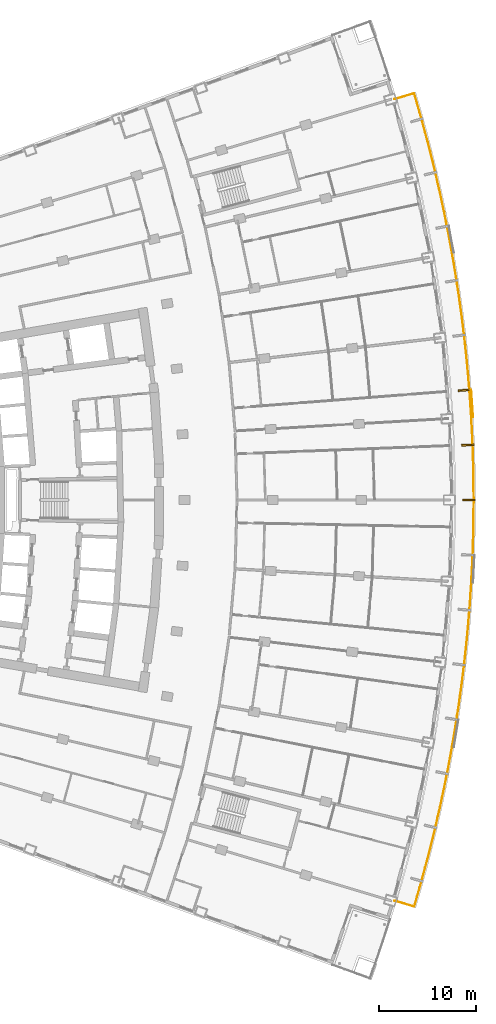
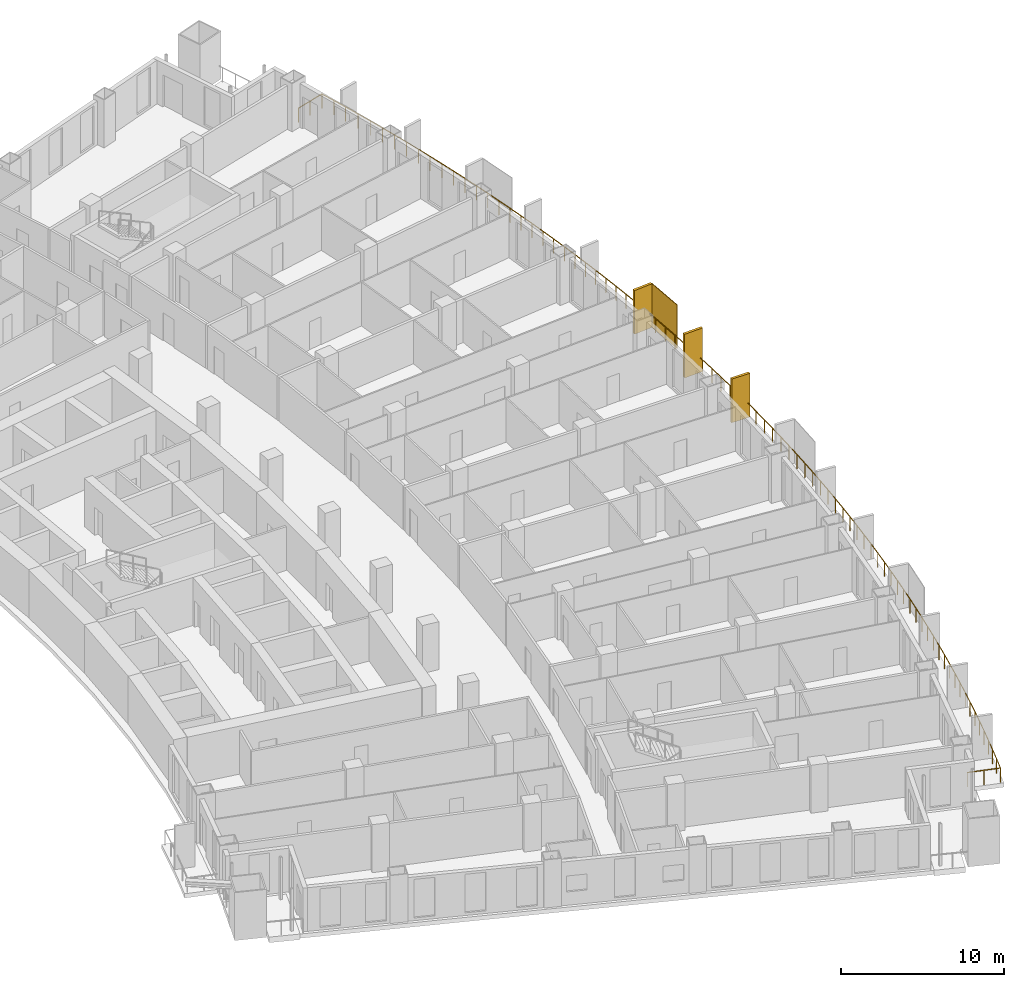
# One storey, part 24 of 25: 4 shading devices, 1 railing.
"""IFC4 building model written with IfcOpenShell, lengths in metres."""

from ifc_helpers import new_model, si_unit, direction, frame, origin, origin_2d, place, context, subcontext, project, spatial, rectangle, extrude, material, layer, layer_set, type_object, element, save


model = new_model("IFC4")

# Units and contexts
model_context = context("Model", 3, precision=1e-05, world=origin(), true_north=direction((0.0, 1.0)))
body_context = subcontext(model_context, "Body", "Model", "MODEL_VIEW")
ifc_project = project(units=[si_unit("LENGTHUNIT", "METRE"), si_unit("AREAUNIT", "SQUARE_METRE"), si_unit("VOLUMEUNIT", "CUBIC_METRE"), si_unit("PLANEANGLEUNIT", "RADIAN"), si_unit("MASSUNIT", "GRAM", prefix="KILO")], contexts=[model_context])

# Site, building, storey
site_placement = place(None, origin())
site = spatial("IfcSite", under=ifc_project, at=site_placement, CompositionType="ELEMENT")
building_placement = place(site_placement, origin())
building = spatial("IfcBuilding", under=site, at=building_placement, Name="Alderwake Tower", CompositionType="ELEMENT")
storey_placement = place(building_placement, frame((0.0, 0.0, 46.39990234375)))
storey = spatial("IfcBuildingStorey", under=building, at=storey_placement, Name="L10", CompositionType="ELEMENT", Elevation=46.39990234375)

# Railing
ifc_material_1 = material(Name="Stainless steel 316 rail and posts", Category="steel")
railing_type = type_object("IfcRailingType", Name="Balcony guard 1100", PredefinedType="GUARDRAIL", material=ifc_material_1)
railing_placement = place(storey_placement, frame((57.371826171875, 19.85986328125, 0.0)))
element("IfcRailing", 1, at=railing_placement, inside=storey, type_object=railing_type, Name="Guard BF02", PredefinedType="GUARDRAIL", context=body_context, shape_type="SweptSolid", body=[
    extrude(rectangle(XDim=0.048095703125, YDim=0.048095703125, at=origin_2d()), frame((0.0, 0.0, 1.076171875), z_axis=(0.957963748181, -0.286889276849, 0.0), x_axis=(0.286889276849, 0.957963748181, 0.0)), (0.0, 0.0, 1.0), 2.100341796875),
    extrude(rectangle(XDim=0.048095703125, YDim=0.048095703125, at=origin_2d()), frame((2.011962890625, -0.6025390625, 1.076171875), z_axis=(0.280139100614, 0.959959418052, 0.0), x_axis=(-0.959959418052, 0.280139100614, 0.0)), (0.0, 0.0, 1.0), 2.02197265625),
    extrude(rectangle(XDim=0.048095703125, YDim=0.048095703125, at=origin_2d()), frame((2.578369140625, 1.33837890625, 1.076171875), z_axis=(0.26658150654, 0.9638123782, 0.0), x_axis=(-0.9638123782, 0.26658150654, 0.0)), (0.0, 0.0, 1.0), 2.1220703125),
    extrude(rectangle(XDim=0.048095703125, YDim=0.048095703125, at=origin_2d()), frame((3.14404296875, 3.383544921875, 1.076171875), z_axis=(0.252459370457, 0.967607495976, 0.0), x_axis=(-0.967607495976, 0.252459370457, 0.0)), (0.0, 0.0, 1.0), 2.121826171875),
    extrude(rectangle(XDim=0.048095703125, YDim=0.048095703125, at=origin_2d()), frame((3.6796875, 5.4365234375, 1.076171875), z_axis=(0.238282958, 0.971195774253, 0.0), x_axis=(-0.971195774253, 0.238282958, 0.0)), (0.0, 0.0, 1.0), 2.121826171875),
    extrude(rectangle(XDim=0.048095703125, YDim=0.048095703125, at=origin_2d()), frame((4.185302734375, 7.497314453125, 1.076171875), z_axis=(0.224136765, 0.974557699972, 0.0), x_axis=(-0.974557699972, 0.224136765, 0.0)), (0.0, 0.0, 1.0), 2.121826171875),
    extrude(rectangle(XDim=0.048095703125, YDim=0.048095703125, at=origin_2d()), frame((4.660888671875, 9.565185546875, 1.076171875), z_axis=(0.209859086272, 0.977731642072, 0.0), x_axis=(-0.977731642072, 0.209859086272, 0.0)), (0.0, 0.0, 1.0), 2.1220703125),
    extrude(rectangle(XDim=0.048095703125, YDim=0.048095703125, at=origin_2d()), frame((5.106201171875, 11.639892578125, 1.076171875), z_axis=(0.195607176026, 0.980682330159, 0.0), x_axis=(-0.980682330159, 0.195607176026, 0.0)), (0.0, 0.0, 1.0), 2.121826171875),
    extrude(rectangle(XDim=0.048095703125, YDim=0.048095703125, at=origin_2d()), frame((5.521240234375, 13.720703125, 1.076171875), z_axis=(0.181223929541, 0.983441857642, 0.0), x_axis=(-0.983441857642, 0.181223929541, 0.0)), (0.0, 0.0, 1.0), 2.121826171875),
    extrude(rectangle(XDim=0.048095703125, YDim=0.048095703125, at=origin_2d()), frame((5.90576171875, 15.807373046875, 1.076171875), z_axis=(0.166935734745, 0.985967778614, 0.0), x_axis=(-0.985967778614, 0.166935734745, 0.0)), (0.0, 0.0, 1.0), 2.1220703125),
    extrude(rectangle(XDim=0.048095703125, YDim=0.048095703125, at=origin_2d()), frame((6.260009765625, 17.899658203125, 1.076171875), z_axis=(0.152575952674, 0.988291747747, 0.0), x_axis=(-0.988291747747, 0.152575952674, 0.0)), (0.0, 0.0, 1.0), 2.121826171875),
    extrude(rectangle(XDim=0.048095703125, YDim=0.048095703125, at=origin_2d()), frame((6.583740234375, 19.99658203125, 1.076171875), z_axis=(0.138070046454, 0.990422466563, 0.0), x_axis=(-0.990422466563, 0.138070046454, 0.0)), (0.0, 0.0, 1.0), 2.121826171875),
    extrude(rectangle(XDim=0.048095703125, YDim=0.048095703125, at=origin_2d()), frame((6.876708984375, 22.09814453125, 1.076171875), z_axis=(0.123694843093, 0.992320304031, 0.0), x_axis=(-0.992320304031, 0.123694843093, 0.0)), (0.0, 0.0, 1.0), 2.121826171875),
    extrude(rectangle(XDim=0.048095703125, YDim=0.048095703125, at=origin_2d()), frame((7.13916015625, 24.20361328125, 1.076171875), z_axis=(0.109080130326, 0.9940329598, 0.0), x_axis=(-0.9940329598, 0.109080130326, 0.0)), (0.0, 0.0, 1.0), 2.121826171875),
    extrude(rectangle(XDim=0.048095703125, YDim=0.048095703125, at=origin_2d()), frame((7.37060546875, 26.312744140625, 1.076171875), z_axis=(0.094695065428, 0.995506325738, 0.0), x_axis=(-0.995506325738, 0.094695065428, 0.0)), (0.0, 0.0, 1.0), 2.121826171875),
    extrude(rectangle(XDim=0.048095703125, YDim=0.048095703125, at=origin_2d()), frame((7.571533203125, 28.425048828125, 1.076171875), z_axis=(0.080083637385, 0.996788147513, 0.0), x_axis=(-0.996788147513, 0.080083637385, 0.0)), (0.0, 0.0, 1.0), 2.121826171875),
    extrude(rectangle(XDim=0.048095703125, YDim=0.048095703125, at=origin_2d()), frame((7.741455078125, 30.5400390625, 1.076171875), z_axis=(0.065579727847, 0.997847332659, 0.0), x_axis=(-0.997847332659, 0.065579727847, 0.0)), (0.0, 0.0, 1.0), 2.1220703125),
    extrude(rectangle(XDim=0.048095703125, YDim=0.048095703125, at=origin_2d()), frame((7.880615234375, 32.657470703125, 1.076171875), z_axis=(0.051085284185, 0.998694294436, 0.0), x_axis=(-0.998694294436, 0.051085284185, 0.0)), (0.0, 0.0, 1.0), 2.121826171875),
    extrude(rectangle(XDim=0.048095703125, YDim=0.048095703125, at=origin_2d()), frame((7.989013671875, 34.776611328125, 1.076171875), z_axis=(0.036360511364, 0.999338737973, 0.0), x_axis=(-0.999338737973, 0.036360511364, 0.0)), (0.0, 0.0, 1.0), 2.121826171875),
    extrude(rectangle(XDim=0.048095703125, YDim=0.048095703125, at=origin_2d()), frame((8.066162109375, 36.89697265625, 1.076171875), z_axis=(0.021976507204, 0.999758487401, 0.0), x_axis=(-0.999758487401, 0.021976507204, 0.0)), (0.0, 0.0, 1.0), 2.121826171875),
    extrude(rectangle(XDim=0.048095703125, YDim=0.048095703125, at=origin_2d()), frame((8.11279296875, 39.018310546875, 1.076171875), z_axis=(0.007248687707, 0.999973727918, 0.0), x_axis=(-0.999973727918, 0.007248687707, 0.0)), (0.0, 0.0, 1.0), 2.121826171875),
    extrude(rectangle(XDim=0.048095703125, YDim=0.048095703125, at=origin_2d()), frame((8.128173828125, 41.14013671875, 1.076171875), z_axis=(-0.007248687707, 0.999973727918, 0.0), x_axis=(-0.999973727918, -0.007248687707, 0.0)), (0.0, 0.0, 1.0), 2.121826171875),
    extrude(rectangle(XDim=0.048095703125, YDim=0.048095703125, at=origin_2d()), frame((8.11279296875, 43.261962890625, 1.076171875), z_axis=(-0.021976507204, 0.999758487401, 0.0), x_axis=(-0.999758487401, -0.021976507204, 0.0)), (0.0, 0.0, 1.0), 2.121826171875),
    extrude(rectangle(XDim=0.048095703125, YDim=0.048095703125, at=origin_2d()), frame((8.066162109375, 45.38330078125, 1.076171875), z_axis=(-0.036360511364, 0.999338737973, 0.0), x_axis=(-0.999338737973, -0.036360511364, 0.0)), (0.0, 0.0, 1.0), 2.121826171875),
    extrude(rectangle(XDim=0.048095703125, YDim=0.048095703125, at=origin_2d()), frame((7.989013671875, 47.503662109375, 1.076171875), z_axis=(-0.051085284185, 0.998694294436, 0.0), x_axis=(-0.998694294436, -0.051085284185, 0.0)), (0.0, 0.0, 1.0), 2.121826171875),
    extrude(rectangle(XDim=0.048095703125, YDim=0.048095703125, at=origin_2d()), frame((7.880615234375, 49.622802734375, 1.076171875), z_axis=(-0.065579727847, 0.997847332659, 0.0), x_axis=(-0.997847332659, -0.065579727847, 0.0)), (0.0, 0.0, 1.0), 2.1220703125),
    extrude(rectangle(XDim=0.048095703125, YDim=0.048095703125, at=origin_2d()), frame((7.741455078125, 51.740234375, 1.076171875), z_axis=(-0.080083637385, 0.996788147513, 0.0), x_axis=(-0.996788147513, -0.080083637385, 0.0)), (0.0, 0.0, 1.0), 2.121826171875),
    extrude(rectangle(XDim=0.048095703125, YDim=0.048095703125, at=origin_2d()), frame((7.571533203125, 53.855224609375, 1.076171875), z_axis=(-0.094695065428, 0.995506325738, 0.0), x_axis=(-0.995506325738, -0.094695065428, 0.0)), (0.0, 0.0, 1.0), 2.121826171875),
    extrude(rectangle(XDim=0.048095703125, YDim=0.048095703125, at=origin_2d()), frame((7.37060546875, 55.967529296875, 1.076171875), z_axis=(-0.109080130326, 0.9940329598, 0.0), x_axis=(-0.9940329598, -0.109080130326, 0.0)), (0.0, 0.0, 1.0), 2.121826171875),
    extrude(rectangle(XDim=0.048095703125, YDim=0.048095703125, at=origin_2d()), frame((7.13916015625, 58.07666015625, 1.076171875), z_axis=(-0.123694843093, 0.992320304031, 0.0), x_axis=(-0.992320304031, -0.123694843093, 0.0)), (0.0, 0.0, 1.0), 2.121826171875),
    extrude(rectangle(XDim=0.048095703125, YDim=0.048095703125, at=origin_2d()), frame((6.876708984375, 60.18212890625, 1.076171875), z_axis=(-0.138070046454, 0.990422466563, 0.0), x_axis=(-0.990422466563, -0.138070046454, 0.0)), (0.0, 0.0, 1.0), 2.121826171875),
    extrude(rectangle(XDim=0.048095703125, YDim=0.048095703125, at=origin_2d()), frame((6.583740234375, 62.28369140625, 1.076171875), z_axis=(-0.152575952674, 0.988291747747, 0.0), x_axis=(-0.988291747747, -0.152575952674, 0.0)), (0.0, 0.0, 1.0), 2.121826171875),
    extrude(rectangle(XDim=0.048095703125, YDim=0.048095703125, at=origin_2d()), frame((6.260009765625, 64.380615234375, 1.076171875), z_axis=(-0.166935734745, 0.985967778614, 0.0), x_axis=(-0.985967778614, -0.166935734745, 0.0)), (0.0, 0.0, 1.0), 2.1220703125),
    extrude(rectangle(XDim=0.048095703125, YDim=0.048095703125, at=origin_2d()), frame((5.90576171875, 66.472900390625, 1.076171875), z_axis=(-0.181223929541, 0.983441857642, 0.0), x_axis=(-0.983441857642, -0.181223929541, 0.0)), (0.0, 0.0, 1.0), 2.121826171875),
    extrude(rectangle(XDim=0.048095703125, YDim=0.048095703125, at=origin_2d()), frame((5.521240234375, 68.5595703125, 1.076171875), z_axis=(-0.195607176026, 0.980682330159, 0.0), x_axis=(-0.980682330159, -0.195607176026, 0.0)), (0.0, 0.0, 1.0), 2.121826171875),
    extrude(rectangle(XDim=0.048095703125, YDim=0.048095703125, at=origin_2d()), frame((5.106201171875, 70.640380859375, 1.076171875), z_axis=(-0.209859086272, 0.977731642072, 0.0), x_axis=(-0.977731642072, -0.209859086272, 0.0)), (0.0, 0.0, 1.0), 2.1220703125),
    extrude(rectangle(XDim=0.048095703125, YDim=0.048095703125, at=origin_2d()), frame((4.660888671875, 72.715087890625, 1.076171875), z_axis=(-0.224136765, 0.974557699972, 0.0), x_axis=(-0.974557699972, -0.224136765, 0.0)), (0.0, 0.0, 1.0), 2.121826171875),
    extrude(rectangle(XDim=0.048095703125, YDim=0.048095703125, at=origin_2d()), frame((4.185302734375, 74.782958984375, 1.076171875), z_axis=(-0.238282958, 0.971195774253, 0.0), x_axis=(-0.971195774253, -0.238282958, 0.0)), (0.0, 0.0, 1.0), 2.121826171875),
    extrude(rectangle(XDim=0.048095703125, YDim=0.048095703125, at=origin_2d()), frame((3.6796875, 76.84375, 1.076171875), z_axis=(-0.252459370457, 0.967607495976, 0.0), x_axis=(-0.967607495976, -0.252459370457, 0.0)), (0.0, 0.0, 1.0), 2.121826171875),
    extrude(rectangle(XDim=0.048095703125, YDim=0.048095703125, at=origin_2d()), frame((3.14404296875, 78.896728515625, 1.076171875), z_axis=(-0.26658150654, 0.9638123782, 0.0), x_axis=(-0.9638123782, -0.26658150654, 0.0)), (0.0, 0.0, 1.0), 2.1220703125),
    extrude(rectangle(XDim=0.048095703125, YDim=0.048095703125, at=origin_2d()), frame((2.578369140625, 80.94189453125, 1.076171875), z_axis=(-0.280139100614, 0.959959418052, 0.0), x_axis=(-0.959959418052, -0.280139100614, 0.0)), (0.0, 0.0, 1.0), 2.02197265625),
    extrude(rectangle(XDim=0.048095703125, YDim=0.048095703125, at=origin_2d()), frame((2.011962890625, 82.8828125, 1.076171875), z_axis=(-0.957963748181, -0.286889276849, 0.0), x_axis=(0.286889276849, -0.957963748181, 0.0)), (0.0, 0.0, 1.0), 2.100341796875),
    extrude(rectangle(XDim=0.0419921875, YDim=0.0419921875, at=origin_2d()), frame((0.0, 0.0, 0.0), z_axis=(0.0, 0.0, 1.0), x_axis=(0.957963748181, -0.286889276849, 0.0)), (0.0, 0.0, 1.0), 1.052001953125),
    extrude(rectangle(XDim=0.0419921875, YDim=0.0419921875, at=origin_2d()), frame((1.005859375, -0.30126953125, 0.0), z_axis=(0.0, 0.0, 1.0), x_axis=(0.957963748181, -0.286889276849, 0.0)), (0.0, 0.0, 1.0), 1.052001953125),
    extrude(rectangle(XDim=0.0419921875, YDim=0.0419921875, at=origin_2d()), frame((2.011962890625, -0.6025390625, 0.0), z_axis=(0.0, 0.0, 1.0), x_axis=(0.280139100614, 0.959959418052, 0.0)), (0.0, 0.0, 1.0), 1.052001953125),
    extrude(rectangle(XDim=0.0419921875, YDim=0.0419921875, at=origin_2d()), frame((2.295166015625, 0.367919921875, 0.0), z_axis=(0.0, 0.0, 1.0), x_axis=(0.280139100614, 0.959959418052, 0.0)), (0.0, 0.0, 1.0), 1.052001953125),
    extrude(rectangle(XDim=0.0419921875, YDim=0.0419921875, at=origin_2d()), frame((2.578369140625, 1.33837890625, 0.0), z_axis=(0.0, 0.0, 1.0), x_axis=(0.26658150654, 0.9638123782, 0.0)), (0.0, 0.0, 1.0), 1.052001953125),
    extrude(rectangle(XDim=0.0419921875, YDim=0.0419921875, at=origin_2d()), frame((2.861328125, 2.36083984375, 0.0), z_axis=(0.0, 0.0, 1.0), x_axis=(0.26658150654, 0.9638123782, 0.0)), (0.0, 0.0, 1.0), 1.052001953125),
    extrude(rectangle(XDim=0.0419921875, YDim=0.0419921875, at=origin_2d()), frame((3.14404296875, 3.383544921875, 0.0), z_axis=(0.0, 0.0, 1.0), x_axis=(0.252459370457, 0.967607495976, 0.0)), (0.0, 0.0, 1.0), 1.052001953125),
    extrude(rectangle(XDim=0.0419921875, YDim=0.0419921875, at=origin_2d()), frame((3.411865234375, 4.41015625, 0.0), z_axis=(0.0, 0.0, 1.0), x_axis=(0.252459370457, 0.967607495976, 0.0)), (0.0, 0.0, 1.0), 1.052001953125),
    extrude(rectangle(XDim=0.0419921875, YDim=0.0419921875, at=origin_2d()), frame((3.6796875, 5.4365234375, 0.0), z_axis=(0.0, 0.0, 1.0), x_axis=(0.238282958, 0.971195774253, 0.0)), (0.0, 0.0, 1.0), 1.052001953125),
    extrude(rectangle(XDim=0.0419921875, YDim=0.0419921875, at=origin_2d()), frame((3.9326171875, 6.466796875, 0.0), z_axis=(0.0, 0.0, 1.0), x_axis=(0.238282958, 0.971195774253, 0.0)), (0.0, 0.0, 1.0), 1.052001953125),
    extrude(rectangle(XDim=0.0419921875, YDim=0.0419921875, at=origin_2d()), frame((4.185302734375, 7.497314453125, 0.0), z_axis=(0.0, 0.0, 1.0), x_axis=(0.224136765, 0.974557699972, 0.0)), (0.0, 0.0, 1.0), 1.052001953125),
    extrude(rectangle(XDim=0.0419921875, YDim=0.0419921875, at=origin_2d()), frame((4.423095703125, 8.53125, 0.0), z_axis=(0.0, 0.0, 1.0), x_axis=(0.224136765, 0.974557699972, 0.0)), (0.0, 0.0, 1.0), 1.052001953125),
    extrude(rectangle(XDim=0.0419921875, YDim=0.0419921875, at=origin_2d()), frame((4.660888671875, 9.565185546875, 0.0), z_axis=(0.0, 0.0, 1.0), x_axis=(0.209859086272, 0.977731642072, 0.0)), (0.0, 0.0, 1.0), 1.052001953125),
    extrude(rectangle(XDim=0.0419921875, YDim=0.0419921875, at=origin_2d()), frame((4.883544921875, 10.6025390625, 0.0), z_axis=(0.0, 0.0, 1.0), x_axis=(0.209859086272, 0.977731642072, 0.0)), (0.0, 0.0, 1.0), 1.052001953125),
    extrude(rectangle(XDim=0.0419921875, YDim=0.0419921875, at=origin_2d()), frame((5.106201171875, 11.639892578125, 0.0), z_axis=(0.0, 0.0, 1.0), x_axis=(0.195607176026, 0.980682330159, 0.0)), (0.0, 0.0, 1.0), 1.052001953125),
    extrude(rectangle(XDim=0.0419921875, YDim=0.0419921875, at=origin_2d()), frame((5.313720703125, 12.68017578125, 0.0), z_axis=(0.0, 0.0, 1.0), x_axis=(0.195607176026, 0.980682330159, 0.0)), (0.0, 0.0, 1.0), 1.052001953125),
    extrude(rectangle(XDim=0.0419921875, YDim=0.0419921875, at=origin_2d()), frame((5.521240234375, 13.720703125, 0.0), z_axis=(0.0, 0.0, 1.0), x_axis=(0.181223929541, 0.983441857642, 0.0)), (0.0, 0.0, 1.0), 1.052001953125),
    extrude(rectangle(XDim=0.0419921875, YDim=0.0419921875, at=origin_2d()), frame((5.71337890625, 14.76416015625, 0.0), z_axis=(0.0, 0.0, 1.0), x_axis=(0.181223929541, 0.983441857642, 0.0)), (0.0, 0.0, 1.0), 1.052001953125),
    extrude(rectangle(XDim=0.0419921875, YDim=0.0419921875, at=origin_2d()), frame((5.90576171875, 15.807373046875, 0.0), z_axis=(0.0, 0.0, 1.0), x_axis=(0.166935734745, 0.985967778614, 0.0)), (0.0, 0.0, 1.0), 1.052001953125),
    extrude(rectangle(XDim=0.0419921875, YDim=0.0419921875, at=origin_2d()), frame((6.0830078125, 16.853515625, 0.0), z_axis=(0.0, 0.0, 1.0), x_axis=(0.166935734745, 0.985967778614, 0.0)), (0.0, 0.0, 1.0), 1.052001953125),
    extrude(rectangle(XDim=0.0419921875, YDim=0.0419921875, at=origin_2d()), frame((6.260009765625, 17.899658203125, 0.0), z_axis=(0.0, 0.0, 1.0), x_axis=(0.152575952674, 0.988291747747, 0.0)), (0.0, 0.0, 1.0), 1.052001953125),
    extrude(rectangle(XDim=0.0419921875, YDim=0.0419921875, at=origin_2d()), frame((6.421875, 18.9482421875, 0.0), z_axis=(0.0, 0.0, 1.0), x_axis=(0.152575952674, 0.988291747747, 0.0)), (0.0, 0.0, 1.0), 1.052001953125),
    extrude(rectangle(XDim=0.0419921875, YDim=0.0419921875, at=origin_2d()), frame((6.583740234375, 19.99658203125, 0.0), z_axis=(0.0, 0.0, 1.0), x_axis=(0.138070046454, 0.990422466563, 0.0)), (0.0, 0.0, 1.0), 1.052001953125),
    extrude(rectangle(XDim=0.0419921875, YDim=0.0419921875, at=origin_2d()), frame((6.730224609375, 21.04736328125, 0.0), z_axis=(0.0, 0.0, 1.0), x_axis=(0.138070046454, 0.990422466563, 0.0)), (0.0, 0.0, 1.0), 1.052001953125),
    extrude(rectangle(XDim=0.0419921875, YDim=0.0419921875, at=origin_2d()), frame((6.876708984375, 22.09814453125, 0.0), z_axis=(0.0, 0.0, 1.0), x_axis=(0.123694843093, 0.992320304031, 0.0)), (0.0, 0.0, 1.0), 1.052001953125),
    extrude(rectangle(XDim=0.0419921875, YDim=0.0419921875, at=origin_2d()), frame((7.0078125, 23.15087890625, 0.0), z_axis=(0.0, 0.0, 1.0), x_axis=(0.123694843093, 0.992320304031, 0.0)), (0.0, 0.0, 1.0), 1.052001953125),
    extrude(rectangle(XDim=0.0419921875, YDim=0.0419921875, at=origin_2d()), frame((7.13916015625, 24.20361328125, 0.0), z_axis=(0.0, 0.0, 1.0), x_axis=(0.109080130326, 0.9940329598, 0.0)), (0.0, 0.0, 1.0), 1.052001953125),
    extrude(rectangle(XDim=0.0419921875, YDim=0.0419921875, at=origin_2d()), frame((7.2548828125, 25.25830078125, 0.0), z_axis=(0.0, 0.0, 1.0), x_axis=(0.109080130326, 0.9940329598, 0.0)), (0.0, 0.0, 1.0), 1.052001953125),
    extrude(rectangle(XDim=0.0419921875, YDim=0.0419921875, at=origin_2d()), frame((7.37060546875, 26.312744140625, 0.0), z_axis=(0.0, 0.0, 1.0), x_axis=(0.094695065428, 0.995506325738, 0.0)), (0.0, 0.0, 1.0), 1.052001953125),
    extrude(rectangle(XDim=0.0419921875, YDim=0.0419921875, at=origin_2d()), frame((7.47119140625, 27.368896484375, 0.0), z_axis=(0.0, 0.0, 1.0), x_axis=(0.094695065428, 0.995506325738, 0.0)), (0.0, 0.0, 1.0), 1.052001953125),
    extrude(rectangle(XDim=0.0419921875, YDim=0.0419921875, at=origin_2d()), frame((7.571533203125, 28.425048828125, 0.0), z_axis=(0.0, 0.0, 1.0), x_axis=(0.080083637385, 0.996788147513, 0.0)), (0.0, 0.0, 1.0), 1.052001953125),
    extrude(rectangle(XDim=0.0419921875, YDim=0.0419921875, at=origin_2d()), frame((7.656494140625, 29.482421875, 0.0), z_axis=(0.0, 0.0, 1.0), x_axis=(0.080083637385, 0.996788147513, 0.0)), (0.0, 0.0, 1.0), 1.052001953125),
    extrude(rectangle(XDim=0.0419921875, YDim=0.0419921875, at=origin_2d()), frame((7.741455078125, 30.5400390625, 0.0), z_axis=(0.0, 0.0, 1.0), x_axis=(0.065579727847, 0.997847332659, 0.0)), (0.0, 0.0, 1.0), 1.052001953125),
    extrude(rectangle(XDim=0.0419921875, YDim=0.0419921875, at=origin_2d()), frame((7.81103515625, 31.5986328125, 0.0), z_axis=(0.0, 0.0, 1.0), x_axis=(0.065579727847, 0.997847332659, 0.0)), (0.0, 0.0, 1.0), 1.052001953125),
    extrude(rectangle(XDim=0.0419921875, YDim=0.0419921875, at=origin_2d()), frame((7.880615234375, 32.657470703125, 0.0), z_axis=(0.0, 0.0, 1.0), x_axis=(0.051085284185, 0.998694294436, 0.0)), (0.0, 0.0, 1.0), 1.052001953125),
    extrude(rectangle(XDim=0.0419921875, YDim=0.0419921875, at=origin_2d()), frame((7.934814453125, 33.717041015625, 0.0), z_axis=(0.0, 0.0, 1.0), x_axis=(0.051085284185, 0.998694294436, 0.0)), (0.0, 0.0, 1.0), 1.052001953125),
    extrude(rectangle(XDim=0.0419921875, YDim=0.0419921875, at=origin_2d()), frame((7.989013671875, 34.776611328125, 0.0), z_axis=(0.0, 0.0, 1.0), x_axis=(0.036360511364, 0.999338737973, 0.0)), (0.0, 0.0, 1.0), 1.052001953125),
    extrude(rectangle(XDim=0.0419921875, YDim=0.0419921875, at=origin_2d()), frame((8.027587890625, 35.8369140625, 0.0), z_axis=(0.0, 0.0, 1.0), x_axis=(0.036360511364, 0.999338737973, 0.0)), (0.0, 0.0, 1.0), 1.052001953125),
    extrude(rectangle(XDim=0.0419921875, YDim=0.0419921875, at=origin_2d()), frame((8.066162109375, 36.89697265625, 0.0), z_axis=(0.0, 0.0, 1.0), x_axis=(0.021976507204, 0.999758487401, 0.0)), (0.0, 0.0, 1.0), 1.052001953125),
    extrude(rectangle(XDim=0.0419921875, YDim=0.0419921875, at=origin_2d()), frame((8.08935546875, 37.95751953125, 0.0), z_axis=(0.0, 0.0, 1.0), x_axis=(0.021976507204, 0.999758487401, 0.0)), (0.0, 0.0, 1.0), 1.052001953125),
    extrude(rectangle(XDim=0.0419921875, YDim=0.0419921875, at=origin_2d()), frame((8.11279296875, 39.018310546875, 0.0), z_axis=(0.0, 0.0, 1.0), x_axis=(0.007248687707, 0.999973727918, 0.0)), (0.0, 0.0, 1.0), 1.052001953125),
    extrude(rectangle(XDim=0.0419921875, YDim=0.0419921875, at=origin_2d()), frame((8.12060546875, 40.0791015625, 0.0), z_axis=(0.0, 0.0, 1.0), x_axis=(0.007248687707, 0.999973727918, 0.0)), (0.0, 0.0, 1.0), 1.052001953125),
    extrude(rectangle(XDim=0.0419921875, YDim=0.0419921875, at=origin_2d()), frame((8.128173828125, 41.14013671875, 0.0), z_axis=(0.0, 0.0, 1.0), x_axis=(-0.007248687707, 0.999973727918, 0.0)), (0.0, 0.0, 1.0), 1.052001953125),
    extrude(rectangle(XDim=0.0419921875, YDim=0.0419921875, at=origin_2d()), frame((8.12060546875, 42.201171875, 0.0), z_axis=(0.0, 0.0, 1.0), x_axis=(-0.007248687707, 0.999973727918, 0.0)), (0.0, 0.0, 1.0), 1.052001953125),
    extrude(rectangle(XDim=0.0419921875, YDim=0.0419921875, at=origin_2d()), frame((8.11279296875, 43.261962890625, 0.0), z_axis=(0.0, 0.0, 1.0), x_axis=(-0.021976507204, 0.999758487401, 0.0)), (0.0, 0.0, 1.0), 1.052001953125),
    extrude(rectangle(XDim=0.0419921875, YDim=0.0419921875, at=origin_2d()), frame((8.08935546875, 44.32275390625, 0.0), z_axis=(0.0, 0.0, 1.0), x_axis=(-0.021976507204, 0.999758487401, 0.0)), (0.0, 0.0, 1.0), 1.052001953125),
    extrude(rectangle(XDim=0.0419921875, YDim=0.0419921875, at=origin_2d()), frame((8.066162109375, 45.38330078125, 0.0), z_axis=(0.0, 0.0, 1.0), x_axis=(-0.036360511364, 0.999338737973, 0.0)), (0.0, 0.0, 1.0), 1.052001953125),
    extrude(rectangle(XDim=0.0419921875, YDim=0.0419921875, at=origin_2d()), frame((8.027587890625, 46.443359375, 0.0), z_axis=(0.0, 0.0, 1.0), x_axis=(-0.036360511364, 0.999338737973, 0.0)), (0.0, 0.0, 1.0), 1.052001953125),
    extrude(rectangle(XDim=0.0419921875, YDim=0.0419921875, at=origin_2d()), frame((7.989013671875, 47.503662109375, 0.0), z_axis=(0.0, 0.0, 1.0), x_axis=(-0.051085284185, 0.998694294436, 0.0)), (0.0, 0.0, 1.0), 1.052001953125),
    extrude(rectangle(XDim=0.0419921875, YDim=0.0419921875, at=origin_2d()), frame((7.934814453125, 48.563232421875, 0.0), z_axis=(0.0, 0.0, 1.0), x_axis=(-0.051085284185, 0.998694294436, 0.0)), (0.0, 0.0, 1.0), 1.052001953125),
    extrude(rectangle(XDim=0.0419921875, YDim=0.0419921875, at=origin_2d()), frame((7.880615234375, 49.622802734375, 0.0), z_axis=(0.0, 0.0, 1.0), x_axis=(-0.065579727847, 0.997847332659, 0.0)), (0.0, 0.0, 1.0), 1.052001953125),
    extrude(rectangle(XDim=0.0419921875, YDim=0.0419921875, at=origin_2d()), frame((7.81103515625, 50.681640625, 0.0), z_axis=(0.0, 0.0, 1.0), x_axis=(-0.065579727847, 0.997847332659, 0.0)), (0.0, 0.0, 1.0), 1.052001953125),
    extrude(rectangle(XDim=0.0419921875, YDim=0.0419921875, at=origin_2d()), frame((7.741455078125, 51.740234375, 0.0), z_axis=(0.0, 0.0, 1.0), x_axis=(-0.080083637385, 0.996788147513, 0.0)), (0.0, 0.0, 1.0), 1.052001953125),
    extrude(rectangle(XDim=0.0419921875, YDim=0.0419921875, at=origin_2d()), frame((7.656494140625, 52.7978515625, 0.0), z_axis=(0.0, 0.0, 1.0), x_axis=(-0.080083637385, 0.996788147513, 0.0)), (0.0, 0.0, 1.0), 1.052001953125),
    extrude(rectangle(XDim=0.0419921875, YDim=0.0419921875, at=origin_2d()), frame((7.571533203125, 53.855224609375, 0.0), z_axis=(0.0, 0.0, 1.0), x_axis=(-0.094695065428, 0.995506325738, 0.0)), (0.0, 0.0, 1.0), 1.052001953125),
    extrude(rectangle(XDim=0.0419921875, YDim=0.0419921875, at=origin_2d()), frame((7.47119140625, 54.911376953125, 0.0), z_axis=(0.0, 0.0, 1.0), x_axis=(-0.094695065428, 0.995506325738, 0.0)), (0.0, 0.0, 1.0), 1.052001953125),
    extrude(rectangle(XDim=0.0419921875, YDim=0.0419921875, at=origin_2d()), frame((7.37060546875, 55.967529296875, 0.0), z_axis=(0.0, 0.0, 1.0), x_axis=(-0.109080130326, 0.9940329598, 0.0)), (0.0, 0.0, 1.0), 1.052001953125),
    extrude(rectangle(XDim=0.0419921875, YDim=0.0419921875, at=origin_2d()), frame((7.2548828125, 57.02197265625, 0.0), z_axis=(0.0, 0.0, 1.0), x_axis=(-0.109080130326, 0.9940329598, 0.0)), (0.0, 0.0, 1.0), 1.052001953125),
    extrude(rectangle(XDim=0.0419921875, YDim=0.0419921875, at=origin_2d()), frame((7.13916015625, 58.07666015625, 0.0), z_axis=(0.0, 0.0, 1.0), x_axis=(-0.123694843093, 0.992320304031, 0.0)), (0.0, 0.0, 1.0), 1.052001953125),
    extrude(rectangle(XDim=0.0419921875, YDim=0.0419921875, at=origin_2d()), frame((7.0078125, 59.12939453125, 0.0), z_axis=(0.0, 0.0, 1.0), x_axis=(-0.123694843093, 0.992320304031, 0.0)), (0.0, 0.0, 1.0), 1.052001953125),
    extrude(rectangle(XDim=0.0419921875, YDim=0.0419921875, at=origin_2d()), frame((6.876708984375, 60.18212890625, 0.0), z_axis=(0.0, 0.0, 1.0), x_axis=(-0.138070046454, 0.990422466563, 0.0)), (0.0, 0.0, 1.0), 1.052001953125),
    extrude(rectangle(XDim=0.0419921875, YDim=0.0419921875, at=origin_2d()), frame((6.730224609375, 61.23291015625, 0.0), z_axis=(0.0, 0.0, 1.0), x_axis=(-0.138070046454, 0.990422466563, 0.0)), (0.0, 0.0, 1.0), 1.052001953125),
    extrude(rectangle(XDim=0.0419921875, YDim=0.0419921875, at=origin_2d()), frame((6.583740234375, 62.28369140625, 0.0), z_axis=(0.0, 0.0, 1.0), x_axis=(-0.152575952674, 0.988291747747, 0.0)), (0.0, 0.0, 1.0), 1.052001953125),
    extrude(rectangle(XDim=0.0419921875, YDim=0.0419921875, at=origin_2d()), frame((6.421875, 63.33203125, 0.0), z_axis=(0.0, 0.0, 1.0), x_axis=(-0.152575952674, 0.988291747747, 0.0)), (0.0, 0.0, 1.0), 1.052001953125),
    extrude(rectangle(XDim=0.0419921875, YDim=0.0419921875, at=origin_2d()), frame((6.260009765625, 64.380615234375, 0.0), z_axis=(0.0, 0.0, 1.0), x_axis=(-0.166935734745, 0.985967778614, 0.0)), (0.0, 0.0, 1.0), 1.052001953125),
    extrude(rectangle(XDim=0.0419921875, YDim=0.0419921875, at=origin_2d()), frame((6.0830078125, 65.4267578125, 0.0), z_axis=(0.0, 0.0, 1.0), x_axis=(-0.166935734745, 0.985967778614, 0.0)), (0.0, 0.0, 1.0), 1.052001953125),
    extrude(rectangle(XDim=0.0419921875, YDim=0.0419921875, at=origin_2d()), frame((5.90576171875, 66.472900390625, 0.0), z_axis=(0.0, 0.0, 1.0), x_axis=(-0.181223929541, 0.983441857642, 0.0)), (0.0, 0.0, 1.0), 1.052001953125),
    extrude(rectangle(XDim=0.0419921875, YDim=0.0419921875, at=origin_2d()), frame((5.71337890625, 67.51611328125, 0.0), z_axis=(0.0, 0.0, 1.0), x_axis=(-0.181223929541, 0.983441857642, 0.0)), (0.0, 0.0, 1.0), 1.052001953125),
    extrude(rectangle(XDim=0.0419921875, YDim=0.0419921875, at=origin_2d()), frame((5.521240234375, 68.5595703125, 0.0), z_axis=(0.0, 0.0, 1.0), x_axis=(-0.195607176026, 0.980682330159, 0.0)), (0.0, 0.0, 1.0), 1.052001953125),
    extrude(rectangle(XDim=0.0419921875, YDim=0.0419921875, at=origin_2d()), frame((5.313720703125, 69.60009765625, 0.0), z_axis=(0.0, 0.0, 1.0), x_axis=(-0.195607176026, 0.980682330159, 0.0)), (0.0, 0.0, 1.0), 1.052001953125),
    extrude(rectangle(XDim=0.0419921875, YDim=0.0419921875, at=origin_2d()), frame((5.106201171875, 70.640380859375, 0.0), z_axis=(0.0, 0.0, 1.0), x_axis=(-0.209859086272, 0.977731642072, 0.0)), (0.0, 0.0, 1.0), 1.052001953125),
    extrude(rectangle(XDim=0.0419921875, YDim=0.0419921875, at=origin_2d()), frame((4.883544921875, 71.677734375, 0.0), z_axis=(0.0, 0.0, 1.0), x_axis=(-0.209859086272, 0.977731642072, 0.0)), (0.0, 0.0, 1.0), 1.052001953125),
    extrude(rectangle(XDim=0.0419921875, YDim=0.0419921875, at=origin_2d()), frame((4.660888671875, 72.715087890625, 0.0), z_axis=(0.0, 0.0, 1.0), x_axis=(-0.224136765, 0.974557699972, 0.0)), (0.0, 0.0, 1.0), 1.052001953125),
    extrude(rectangle(XDim=0.0419921875, YDim=0.0419921875, at=origin_2d()), frame((4.423095703125, 73.7490234375, 0.0), z_axis=(0.0, 0.0, 1.0), x_axis=(-0.224136765, 0.974557699972, 0.0)), (0.0, 0.0, 1.0), 1.052001953125),
    extrude(rectangle(XDim=0.0419921875, YDim=0.0419921875, at=origin_2d()), frame((4.185302734375, 74.782958984375, 0.0), z_axis=(0.0, 0.0, 1.0), x_axis=(-0.238282958, 0.971195774253, 0.0)), (0.0, 0.0, 1.0), 1.052001953125),
    extrude(rectangle(XDim=0.0419921875, YDim=0.0419921875, at=origin_2d()), frame((3.9326171875, 75.8134765625, 0.0), z_axis=(0.0, 0.0, 1.0), x_axis=(-0.238282958, 0.971195774253, 0.0)), (0.0, 0.0, 1.0), 1.052001953125),
    extrude(rectangle(XDim=0.0419921875, YDim=0.0419921875, at=origin_2d()), frame((3.6796875, 76.84375, 0.0), z_axis=(0.0, 0.0, 1.0), x_axis=(-0.252459370457, 0.967607495976, 0.0)), (0.0, 0.0, 1.0), 1.052001953125),
    extrude(rectangle(XDim=0.0419921875, YDim=0.0419921875, at=origin_2d()), frame((3.411865234375, 77.8701171875, 0.0), z_axis=(0.0, 0.0, 1.0), x_axis=(-0.252459370457, 0.967607495976, 0.0)), (0.0, 0.0, 1.0), 1.052001953125),
    extrude(rectangle(XDim=0.0419921875, YDim=0.0419921875, at=origin_2d()), frame((3.14404296875, 78.896728515625, 0.0), z_axis=(0.0, 0.0, 1.0), x_axis=(-0.26658150654, 0.9638123782, 0.0)), (0.0, 0.0, 1.0), 1.052001953125),
    extrude(rectangle(XDim=0.0419921875, YDim=0.0419921875, at=origin_2d()), frame((2.861328125, 79.91943359375, 0.0), z_axis=(0.0, 0.0, 1.0), x_axis=(-0.26658150654, 0.9638123782, 0.0)), (0.0, 0.0, 1.0), 1.052001953125),
    extrude(rectangle(XDim=0.0419921875, YDim=0.0419921875, at=origin_2d()), frame((2.578369140625, 80.94189453125, 0.0), z_axis=(0.0, 0.0, 1.0), x_axis=(-0.280139100614, 0.959959418052, 0.0)), (0.0, 0.0, 1.0), 1.052001953125),
    extrude(rectangle(XDim=0.0419921875, YDim=0.0419921875, at=origin_2d()), frame((2.295166015625, 81.912353515625, 0.0), z_axis=(0.0, 0.0, 1.0), x_axis=(-0.280139100614, 0.959959418052, 0.0)), (0.0, 0.0, 1.0), 1.052001953125),
    extrude(rectangle(XDim=0.0419921875, YDim=0.0419921875, at=origin_2d()), frame((2.011962890625, 82.8828125, 0.0), z_axis=(0.0, 0.0, 1.0), x_axis=(-0.957963748181, -0.286889276849, 0.0)), (0.0, 0.0, 1.0), 1.052001953125),
    extrude(rectangle(XDim=0.0419921875, YDim=0.0419921875, at=origin_2d()), frame((1.005859375, 82.58154296875, 0.0), z_axis=(0.0, 0.0, 1.0), x_axis=(-0.957963748181, -0.286889276849, 0.0)), (0.0, 0.0, 1.0), 1.052001953125),
    extrude(rectangle(XDim=0.0419921875, YDim=0.0419921875, at=origin_2d()), frame((0.0, 82.2802734375, 0.0), z_axis=(0.0, 0.0, 1.0), x_axis=(-0.957963748181, -0.286889276849, 0.0)), (0.0, 0.0, 1.0), 1.052001953125),
])

# Shading devices
ifc_material_2 = material(Name="Bronze anodised aluminium", Category="aluminium")
ifc_layer_1 = layer(ifc_material_2, 0.179931640625)
ifc_layer_set_1 = layer_set([ifc_layer_1], Name="Facade fin 1300")
shading_device_type_1 = type_object("IfcShadingDeviceType", Name="Facade fin 1300", PredefinedType="USERDEFINED", material=ifc_layer_set_1)
for number, where, z_axis, x_axis, name in (
    (2, (65.0, 61.0, 0.0), (0.0, 0.0, 1.0), (1.0, 0.0, 0.0), "Fin"),
    (3, (64.890380859375, 66.63916015625, 0.0), (0.0, 0.0, 1.0), (0.999243494356, 0.038890088543, 0.0), "Fin"),
    (4, (64.561279296875, 72.26953125, 0.0), (0.0, 0.0, 1.0), (0.996975122026, 0.077721335943, 0.0), "Fin"),
):
    element("IfcShadingDevice", number, at=place(storey_placement, frame(where, z_axis=z_axis, x_axis=x_axis)), inside=storey, type_object=shading_device_type_1, Name=name, ObjectType="FIN", PredefinedType="USERDEFINED", context=body_context, shape_type="SweptSolid", body=[
        extrude(rectangle(XDim=1.300048828125, YDim=0.179931640625, at=origin_2d()), origin(), (0.0, 0.0, 1.0), 3.280029296875),
    ])
ifc_material_3 = material(Name="Perforated bronze anodised aluminium", Category="aluminium")
ifc_layer_2 = layer(ifc_material_3, 0.050048828125)
ifc_layer_set_2 = layer_set([ifc_layer_2], Name="Perforated screen panel")
shading_device_type_2 = type_object("IfcShadingDeviceType", Name="Perforated screen panel", PredefinedType="USERDEFINED", material=ifc_layer_set_2)
shading_device_placement = place(storey_placement, frame((65.330810546875, 70.905029296875, 0.0), z_axis=(0.0, 0.0, 1.0), x_axis=(0.997685465774, 0.067997877779, 0.0)))
element("IfcShadingDevice", 5, at=shading_device_placement, inside=storey, type_object=shading_device_type_2, Name="Screen panel", ObjectType="SCREEN", PredefinedType="USERDEFINED", context=body_context, shape_type="SweptSolid", body=[
    extrude(rectangle(XDim=0.050048828125, YDim=2.840576171875, at=origin_2d()), origin(), (0.0, 0.0, 1.0), 3.280029296875),
])

save(model, "model.ifc")
